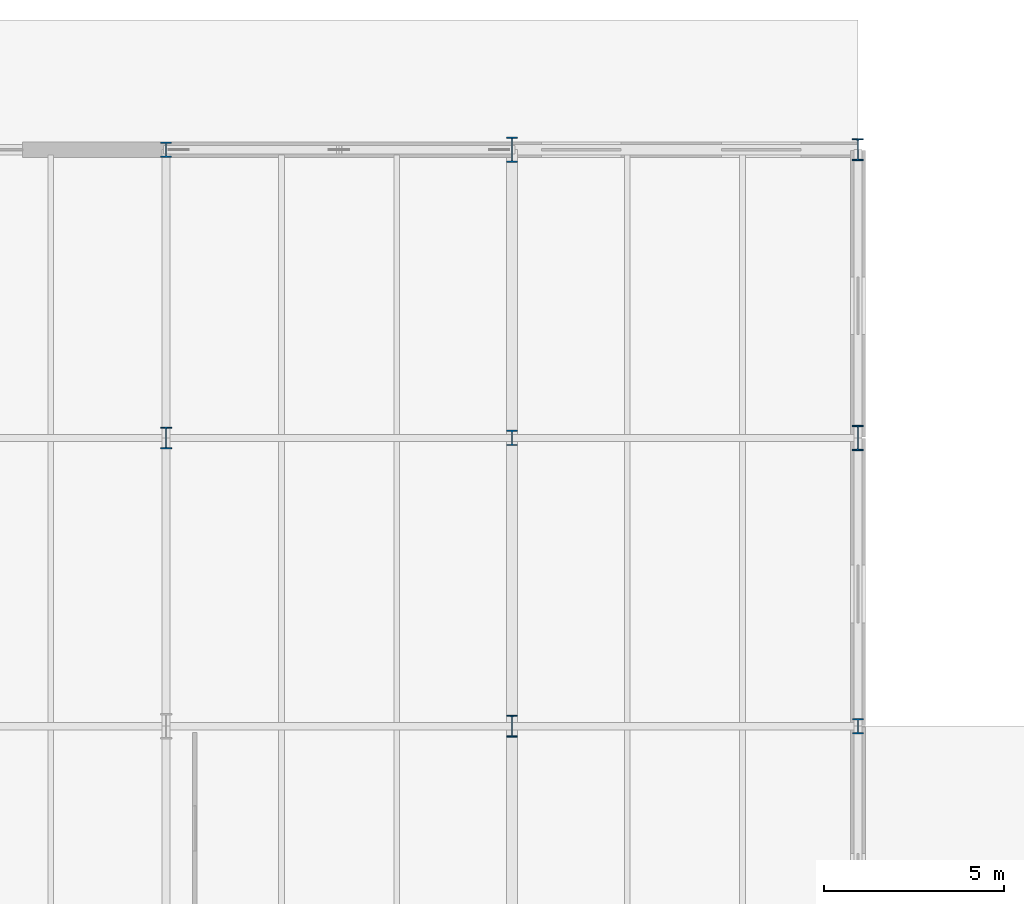
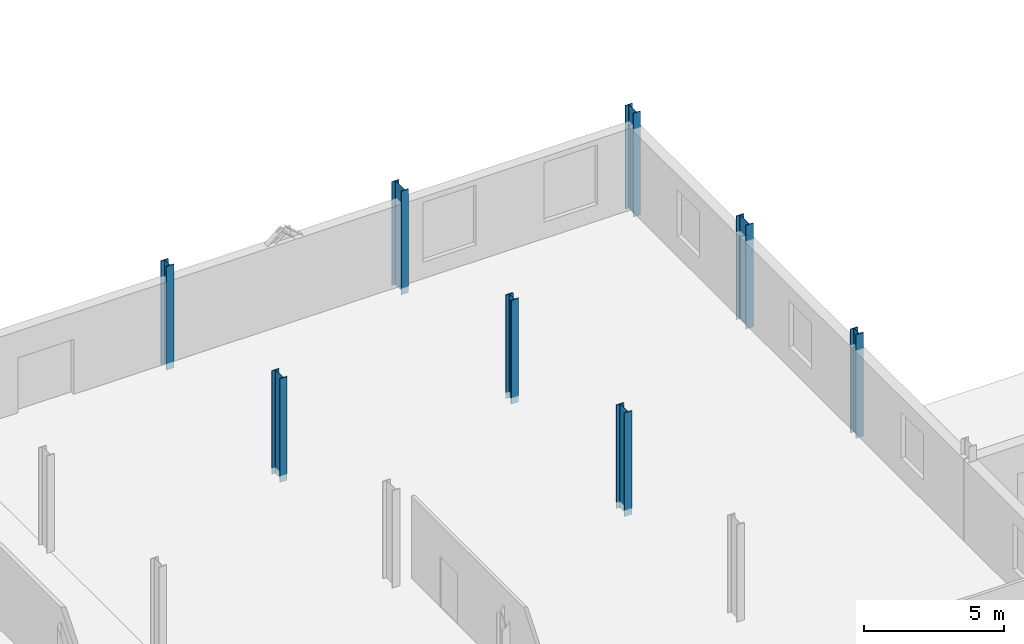
# One storey, part 17 of 78: 8 columns.
"""IFC4 building model written with IfcOpenShell, lengths in metres."""

from ifc_helpers import new_model, si_unit, direction, frame, origin, origin_2d, place, context, subcontext, project, spatial, i_section, extrude, material, material_profile, profile_set, type_object, element, save


model = new_model("IFC4")

# Units and contexts
model_context = context("Model", 3, precision=1e-05, world=origin(), true_north=direction((0.0, 1.0)))
body_context = subcontext(model_context, "Body", "Model", "MODEL_VIEW")
ifc_project = project(units=[si_unit("LENGTHUNIT", "METRE"), si_unit("AREAUNIT", "SQUARE_METRE"), si_unit("VOLUMEUNIT", "CUBIC_METRE"), si_unit("PLANEANGLEUNIT", "RADIAN"), si_unit("MASSUNIT", "GRAM", prefix="KILO")], contexts=[model_context])

# Site, building, storey
site_placement = place(None, origin())
site = spatial("IfcSite", under=ifc_project, at=site_placement, CompositionType="ELEMENT")
building_placement = place(site_placement, origin())
building = spatial("IfcBuilding", under=site, at=building_placement, Name="Alderhovde Museum", CompositionType="ELEMENT")
storey_placement = place(building_placement, origin())
storey = spatial("IfcBuildingStorey", under=building, at=storey_placement, Name="L00", CompositionType="ELEMENT", Elevation=0.0)

# Columns
ifc_material_1 = material(Name="Steel S355J2", Category="steel")
ifc_material_profile_1 = material_profile(ifc_material_1, i_section(OverallWidth=0.300048828125, OverallDepth=0.60009765625, WebThickness=0.015380859375, FlangeThickness=0.030029296875, FilletRadius=0.027099609375, at=origin_2d()), Name="HEB 600")
ifc_profile_set_1 = profile_set([ifc_material_profile_1], Name="Steel S355J2")
column_type_1 = type_object("IfcColumnType", Name="COL-HEB600", PredefinedType="COLUMN", material=ifc_profile_set_1)
for number, where, z_axis, x_axis, name in (
    (1, (38.39990234375, 104.0, -0.280029296875), (0.0, 0.0, 1.0), (1.0, 0.0, 0.0), "L00 Column (38.4, 104.0)"),
    (2, (48.0, 96.0, -0.280029296875), (0.0, 0.0, 1.0), (1.0, 0.0, 0.0), "L00 Column (48.0, 96.0)"),
    (3, (57.60009765625, 112.0, -0.280029296875), (0.0, 0.0, 1.0), (1.0, 0.0, 0.0), "L00 Column (57.6, 112.0)"),
):
    element("IfcColumn", number, at=place(storey_placement, frame(where, z_axis=z_axis, x_axis=x_axis)), inside=storey, type_object=column_type_1, Name=name, PredefinedType="COLUMN", context=body_context, shape_type="SweptSolid", body=[
        extrude(i_section(OverallWidth=0.300048828125, OverallDepth=0.60009765625, WebThickness=0.015380859375, FlangeThickness=0.030029296875, FilletRadius=0.027099609375, at=origin_2d()), origin(), (0.0, 0.0, 1.0), 4.52001953125),
    ])
ifc_material_2 = material(Name="Steel S355J2", Category="steel")
ifc_material_profile_2 = material_profile(ifc_material_2, i_section(OverallWidth=0.300048828125, OverallDepth=0.699951171875, WebThickness=0.01708984375, FlangeThickness=0.031982421875, FilletRadius=0.027099609375, at=origin_2d()), Name="HEB 700")
ifc_profile_set_2 = profile_set([ifc_material_profile_2], Name="Steel S355J2")
column_type_2 = type_object("IfcColumnType", Name="COL-HEB700", PredefinedType="COLUMN", material=ifc_profile_set_2)
for number, where, z_axis, x_axis, name in (
    (4, (48.0, 112.0, -0.280029296875), (0.0, 0.0, 1.0), (1.0, 0.0, 0.0), "L00 Column (48.0, 112.0)"),
    (5, (57.60009765625, 104.0, -0.280029296875), (0.0, 0.0, 1.0), (1.0, 0.0, 0.0), "L00 Column (57.6, 104.0)"),
):
    element("IfcColumn", number, at=place(storey_placement, frame(where, z_axis=z_axis, x_axis=x_axis)), inside=storey, type_object=column_type_2, Name=name, PredefinedType="COLUMN", context=body_context, shape_type="SweptSolid", body=[
        extrude(i_section(OverallWidth=0.300048828125, OverallDepth=0.699951171875, WebThickness=0.01708984375, FlangeThickness=0.031982421875, FilletRadius=0.027099609375, at=origin_2d()), origin(), (0.0, 0.0, 1.0), 4.52001953125),
    ])
ifc_material_3 = material(Name="Steel S355J2", Category="steel")
ifc_material_profile_3 = material_profile(ifc_material_3, i_section(OverallWidth=0.306884765625, OverallDepth=0.431884765625, WebThickness=0.02099609375, FlangeThickness=0.0400390625, FilletRadius=0.027099609375, at=origin_2d()), Name="HEM 400")
ifc_profile_set_3 = profile_set([ifc_material_profile_3], Name="Steel S355J2")
column_type_3 = type_object("IfcColumnType", Name="COL-HEM400", PredefinedType="COLUMN", material=ifc_profile_set_3)
for number, where, z_axis, x_axis, name in (
    (6, (38.39990234375, 112.0, -0.280029296875), (0.0, 0.0, 1.0), (1.0, 0.0, 0.0), "L00 Column (38.4, 112.0)"),
    (7, (48.0, 104.0, -0.280029296875), (0.0, 0.0, 1.0), (1.0, 0.0, 0.0), "L00 Column (48.0, 104.0)"),
    (8, (57.60009765625, 96.0, -0.280029296875), (0.0, 0.0, 1.0), (1.0, 0.0, 0.0), "L00 Column (57.6, 96.0)"),
):
    element("IfcColumn", number, at=place(storey_placement, frame(where, z_axis=z_axis, x_axis=x_axis)), inside=storey, type_object=column_type_3, Name=name, PredefinedType="COLUMN", context=body_context, shape_type="SweptSolid", body=[
        extrude(i_section(OverallWidth=0.306884765625, OverallDepth=0.431884765625, WebThickness=0.02099609375, FlangeThickness=0.0400390625, FilletRadius=0.027099609375, at=origin_2d()), origin(), (0.0, 0.0, 1.0), 4.52001953125),
    ])

save(model, "model.ifc")
